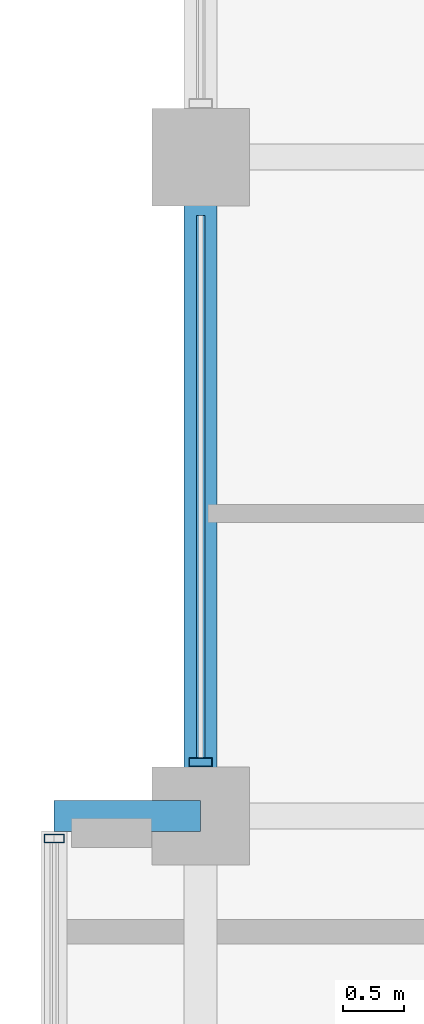
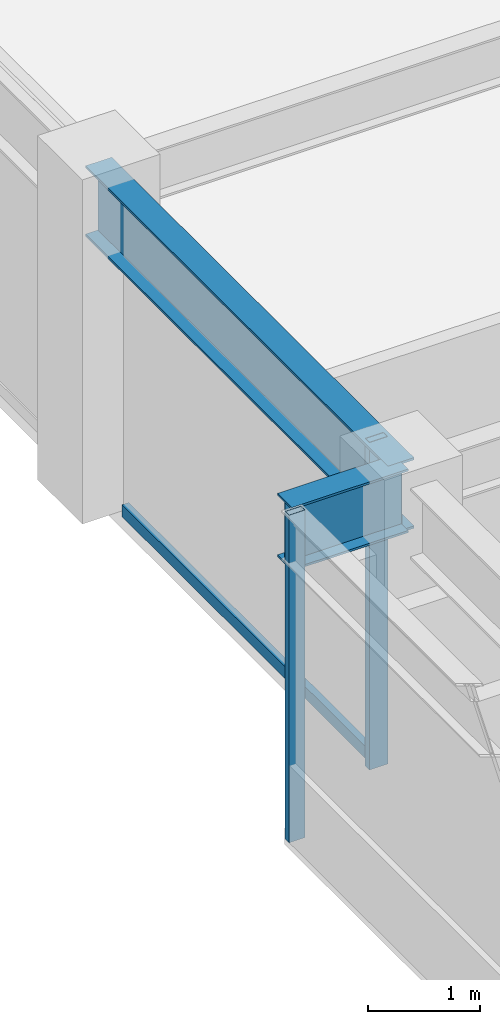
# One storey, part 10 of 32: 3 members, 2 beams, 2 elements without a shape of their own.
"""IFC4 building model written with IfcOpenShell, lengths in metres."""

from ifc_helpers import new_model, si_unit, direction, frame, origin, origin_2d, place, context, subcontext, project, spatial, hollow_rectangle, i_section, extrude, material, layer, layer_set, material_profile, profile_set, type_object, element, aggregate, save


model = new_model("IFC4")

# Units and contexts
model_context = context("Model", 3, precision=1e-05, world=origin(), true_north=direction((0.0, 1.0)))
body_context = subcontext(model_context, "Body", "Model", "MODEL_VIEW")
ifc_project = project(units=[si_unit("LENGTHUNIT", "METRE"), si_unit("AREAUNIT", "SQUARE_METRE"), si_unit("VOLUMEUNIT", "CUBIC_METRE"), si_unit("PLANEANGLEUNIT", "RADIAN"), si_unit("MASSUNIT", "GRAM", prefix="KILO")], contexts=[model_context])

# Site, building, storey
site_placement = place(None, origin())
site = spatial("IfcSite", under=ifc_project, at=site_placement, CompositionType="ELEMENT")
building_placement = place(site_placement, origin())
building = spatial("IfcBuilding", under=site, at=building_placement, Name="Surkhivell Harbour Commons", CompositionType="ELEMENT")
storey_placement = place(building_placement, frame((0.0, 0.0, 234.75)))
storey = spatial("IfcBuildingStorey", under=building, at=storey_placement, Name="L61", CompositionType="ELEMENT", Elevation=234.75)

# Beams
ifc_material_1 = material(Name="Steel S460", Category="steel")
ifc_material_profile_1 = material_profile(ifc_material_1, i_section(OverallWidth=0.256103515625, OverallDepth=0.693115234375, WebThickness=0.014404296875, FlangeThickness=0.023681640625, at=origin_2d()), Name="UB686x254x170")
ifc_profile_set_1 = profile_set([ifc_material_profile_1], Name="Steel S460")
beam_type_1 = type_object("IfcBeamType", Name="BM-CNT-686", PredefinedType="BEAM", material=ifc_profile_set_1)
beam_1_placement = place(storey_placement, frame((-27.0, 5.39990234375, 3.223388671875), z_axis=(-1.0, 0.0, 0.0), x_axis=(0.0, -1.0, 0.0)))
element("IfcBeam", 1, at=beam_1_placement, inside=storey, type_object=beam_type_1, Name="L61 Box Cantilever Outrigger (-27.0,5.4)", PredefinedType="BEAM", context=body_context, shape_type="SweptSolid", body=[
    extrude(i_section(OverallWidth=0.256103515625, OverallDepth=0.693115234375, WebThickness=0.014404296875, FlangeThickness=0.023681640625, at=origin_2d()), origin(), (0.0, 0.0, 1.0), 1.199951171875),
])
ifc_material_2 = material(Name="Steel S355", Category="steel")
ifc_material_profile_2 = material_profile(ifc_material_2, i_section(OverallWidth=0.26806640625, OverallDepth=0.77001953125, WebThickness=0.015625, FlangeThickness=0.025390625, at=origin_2d()), Name="UB762x267x197")
ifc_profile_set_2 = profile_set([ifc_material_profile_2], Name="Steel S355")
beam_type_2 = type_object("IfcBeamType", Name="BM-SPN-762", PredefinedType="SPANDREL", material=ifc_profile_set_2)
beam_2_placement = place(storey_placement, frame((-27.0, 5.39990234375, 3.18505859375), z_axis=(0.0, 1.0, 0.0), x_axis=(-1.0, 0.0, 0.0)))
element("IfcBeam", 2, at=beam_2_placement, inside=storey, type_object=beam_type_2, Name="L61 Tube Spandrel (-27.0,5.4)", PredefinedType="SPANDREL", context=body_context, shape_type="SweptSolid", body=[
    extrude(i_section(OverallWidth=0.26806640625, OverallDepth=0.77001953125, WebThickness=0.015625, FlangeThickness=0.025390625, at=origin_2d()), origin(), (0.0, 0.0, 1.0), 5.400146484375),
])

# Curtain wall, member
ifc_material_3 = material(Name="Anodised pale-metal aluminium and insulated glazing", Category="aluminium")
ifc_layer_1 = layer(ifc_material_3, 0.1650390625)
ifc_layer_set_1 = layer_set([ifc_layer_1], Name="Anodised pale-metal aluminium and insulated glazing")
curtain_wall_type_1 = type_object("IfcCurtainWallType", Name="CW-SYS-BOX", PredefinedType="NOTDEFINED", material=ifc_layer_set_1)
curtain_wall_1_placement = place(storey_placement, origin())
curtain_wall_1 = element("IfcCurtainWall", 3, at=curtain_wall_1_placement, inside=storey, type_object=curtain_wall_type_1, Name="L61 Curtain Wall CW-L61-BOX02", PredefinedType="NOTDEFINED")
ifc_material_4 = material(Name="Champagne anodised aluminium alloy 6063-T6", Category="aluminium")
ifc_material_profile_3 = material_profile(ifc_material_4, hollow_rectangle(XDim=0.070068359375, YDim=0.1650390625, WallThickness=0.00341796875, at=origin_2d()), Name="ALU-MULL-70x165")
ifc_profile_set_3 = profile_set([ifc_material_profile_3], Name="Champagne anodised aluminium alloy 6063-T6")
member_type_1 = type_object("IfcMemberType", Name="CWM-165", PredefinedType="MULLION", material=ifc_profile_set_3)
member_1_placement = place(storey_placement, frame((-28.199951171875, 5.215087890625, 0.0), z_axis=(0.0, 0.0, 1.0), x_axis=(0.0, 1.0, 0.0)))
member_1 = element("IfcMember", 4, at=member_1_placement, type_object=member_type_1, Name="CW-BOX mullion 3", PredefinedType="MULLION", context=body_context, shape_type="SweptSolid", body=[
    extrude(hollow_rectangle(XDim=0.070068359375, YDim=0.1650390625, WallThickness=0.00341796875, at=origin_2d()), origin(), (0.0, 0.0, 1.0), 3.570068359375),
])
aggregate(curtain_wall_1, [member_1])

# Curtain wall, members
ifc_layer_2 = layer(ifc_material_3, 0.18994140625)
ifc_layer_set_2 = layer_set([ifc_layer_2], Name="Anodised pale-metal aluminium and insulated glazing")
curtain_wall_type_2 = type_object("IfcCurtainWallType", Name="CW-SYS-Z3", PredefinedType="NOTDEFINED", material=ifc_layer_set_2)
curtain_wall_2_placement = place(storey_placement, origin())
curtain_wall_2 = element("IfcCurtainWall", 5, at=curtain_wall_2_placement, inside=storey, type_object=curtain_wall_type_2, Name="L61 Curtain Wall CW-L61-E12R2", PredefinedType="NOTDEFINED")
ifc_material_5 = material(Name="Anodised pale-metal aluminium alloy 6063-T6", Category="aluminium")
ifc_material_profile_4 = material_profile(ifc_material_5, hollow_rectangle(XDim=0.074951171875, YDim=0.18994140625, WallThickness=0.00390625, at=origin_2d()), Name="ALU-MULL-75x190")
ifc_profile_set_4 = profile_set([ifc_material_profile_4], Name="Anodised pale-metal aluminium alloy 6063-T6")
member_type_2 = type_object("IfcMemberType", Name="CWM-190", PredefinedType="MULLION", material=ifc_profile_set_4)
member_2_placement = place(storey_placement, frame((-27.0, 5.839599609375, 0.0), z_axis=(0.0, 0.0, 1.0), x_axis=(0.0, 1.0, 0.0)))
member_2 = element("IfcMember", 6, at=member_2_placement, type_object=member_type_2, Name="CW-Z3 mullion 1", PredefinedType="MULLION", context=body_context, shape_type="SweptSolid", body=[
    extrude(hollow_rectangle(XDim=0.074951171875, YDim=0.18994140625, WallThickness=0.00390625, at=origin_2d()), origin(), (0.0, 0.0, 1.0), 3.570068359375),
])
ifc_material_profile_5 = material_profile(ifc_material_4, hollow_rectangle(XDim=0.070068359375, YDim=0.1298828125, WallThickness=0.00341796875, at=origin_2d()), Name="ALU-TRAN-70x130")
ifc_profile_set_5 = profile_set([ifc_material_profile_5], Name="Champagne anodised aluminium alloy 6063-T6")
member_type_3 = type_object("IfcMemberType", Name="CWT-130", PredefinedType="USERDEFINED", material=ifc_profile_set_5)
member_3_placement = place(storey_placement, frame((-27.0, 5.876953125, 0.06494140625), z_axis=(0.0, 1.0, 0.0), x_axis=(-1.0, 0.0, 0.0)))
member_3 = element("IfcMember", 7, at=member_3_placement, type_object=member_type_3, Name="CW-Z3 transom 1.1", ObjectType="TRANSOM", PredefinedType="USERDEFINED", context=body_context, shape_type="SweptSolid", body=[
    extrude(hollow_rectangle(XDim=0.070068359375, YDim=0.1298828125, WallThickness=0.00341796875, at=origin_2d()), origin(), (0.0, 0.0, 1.0), 4.446044921875),
])
aggregate(curtain_wall_2, [member_2, member_3])

save(model, "model.ifc")
